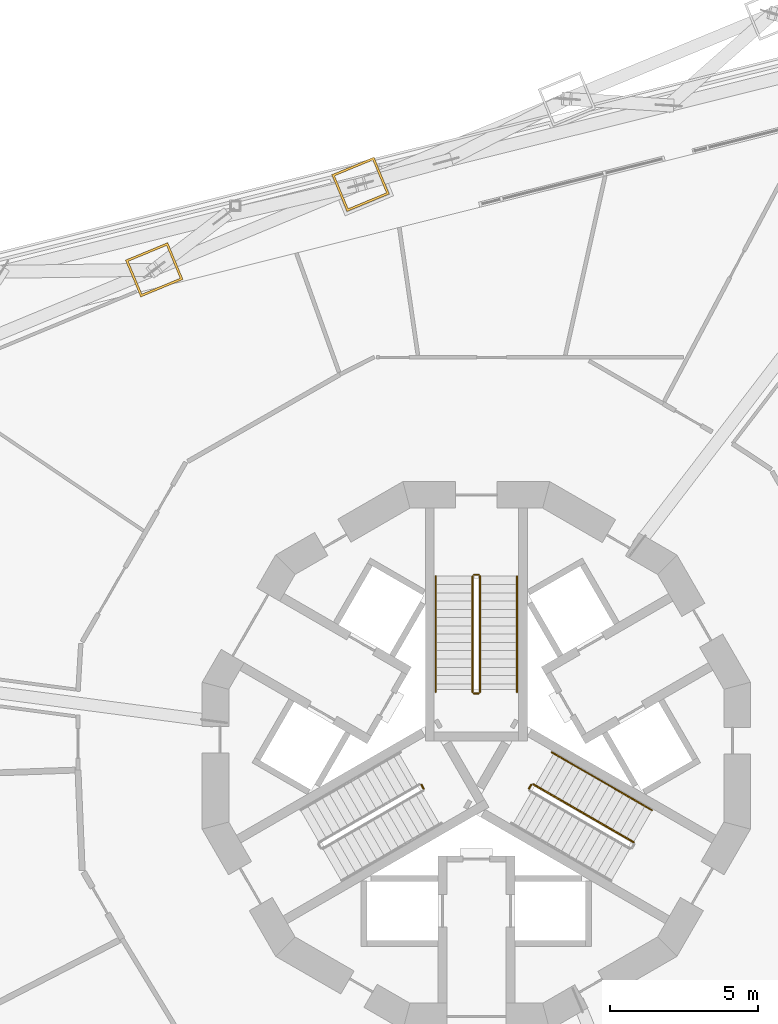
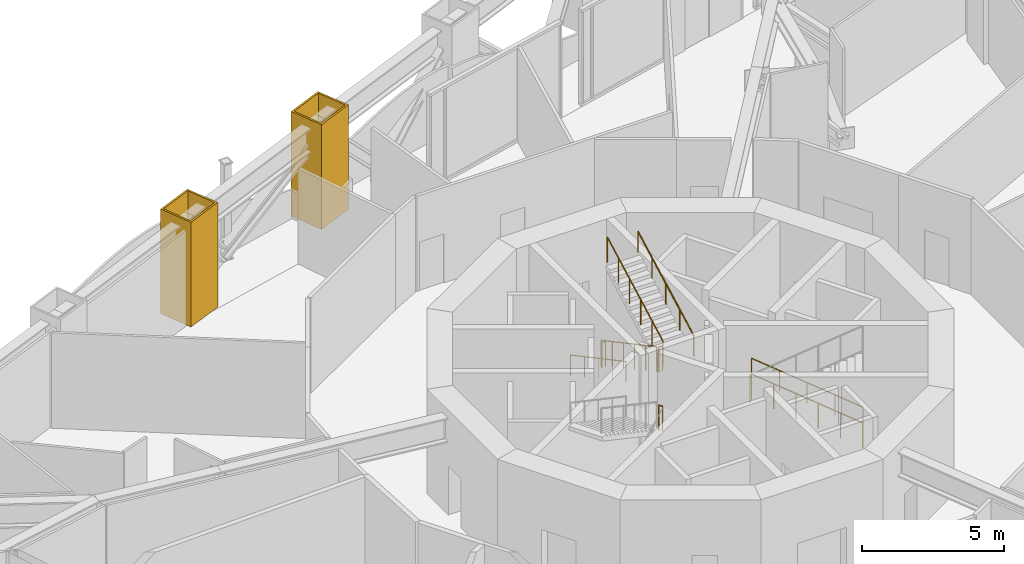
# One storey, part 24 of 26: 11 railings, 2 coverings.
"""IFC4 building model written with IfcOpenShell, lengths in metres."""

from ifc_helpers import new_model, si_unit, direction, frame, origin, origin_2d, place, context, subcontext, project, spatial, polyline, circle, outline, extrude, material, layer, layer_set, type_object, element, save


model = new_model("IFC4")

# Units and contexts
model_context = context("Model", 3, precision=1e-05, world=origin(), true_north=direction((0.0, 1.0)))
body_context = subcontext(model_context, "Body", "Model", "MODEL_VIEW")
ifc_project = project(units=[si_unit("LENGTHUNIT", "METRE"), si_unit("AREAUNIT", "SQUARE_METRE"), si_unit("VOLUMEUNIT", "CUBIC_METRE"), si_unit("PLANEANGLEUNIT", "RADIAN"), si_unit("MASSUNIT", "GRAM", prefix="KILO")], contexts=[model_context])

# Site, building, storey
site_placement = place(None, origin())
site = spatial("IfcSite", under=ifc_project, at=site_placement, CompositionType="ELEMENT")
building_placement = place(site_placement, origin())
building = spatial("IfcBuilding", under=site, at=building_placement, Name="Trine Commons Tower", CompositionType="ELEMENT")
storey_placement = place(building_placement, frame((0.0, 0.0, 119.699951171875)))
storey = spatial("IfcBuildingStorey", under=building, at=storey_placement, Name="L30", CompositionType="ELEMENT", Elevation=119.699951171875)

# Coverings
ifc_material_1 = material(Name="Limestone, honed", Category="masonry")
ifc_layer = layer(ifc_material_1, 0.074951171875)
ifc_layer_set = layer_set([ifc_layer], Name="Limestone, honed")
covering_type = type_object("IfcCoveringType", Name="Limestone column cladding 75", PredefinedType="CLADDING", material=ifc_layer_set)
covering_1_placement = place(storey_placement, origin())
element("IfcCovering", 1, at=covering_1_placement, inside=storey, type_object=covering_type, Name="Limestone pier cladding 4-12", PredefinedType="CLADDING", context=body_context, shape_type="SweptSolid", body=[
    extrude(outline(polyline([(70.07958984375, 78.60791015625), (69.56298828125, 79.855224609375), (68.131103515625, 79.261962890625), (68.647705078125, 78.014892578125), (70.07958984375, 78.60791015625)]), holes=[polyline([(69.981689453125, 78.648681640625), (69.5224609375, 79.757080078125), (68.22900390625, 79.221435546875), (68.688232421875, 78.11279296875), (69.981689453125, 78.648681640625)])]), origin(), (0.0, 0.0, 1.0), 4.5),
])
covering_2_placement = place(storey_placement, origin())
element("IfcCovering", 2, at=covering_2_placement, inside=storey, type_object=covering_type, Name="Limestone pier cladding 4-13", PredefinedType="CLADDING", context=body_context, shape_type="SweptSolid", body=[
    extrude(outline(polyline([(77.056640625, 81.498046875), (76.5400390625, 82.745361328125), (75.108154296875, 82.152099609375), (75.624755859375, 80.90478515625), (77.056640625, 81.498046875)]), holes=[polyline([(76.958740234375, 81.538818359375), (76.49951171875, 82.647216796875), (75.2060546875, 82.111572265625), (75.665283203125, 81.0029296875), (76.958740234375, 81.538818359375)])]), origin(), (0.0, 0.0, 1.0), 4.5),
])

# Railings
ifc_material_2 = material(Name="Stainless steel balustrade", Category="steel")
railing_type_1 = type_object("IfcRailingType", Name="Stair guard, steel balustrade 1100", PredefinedType="GUARDRAIL", material=ifc_material_2)
railing_1_placement = place(storey_placement, frame((79.875, 68.570556640625, 0.150146484375)))
element("IfcRailing", 3, at=railing_1_placement, inside=storey, type_object=railing_type_1, Name="L30 ST1B stair guard 1", PredefinedType="GUARDRAIL", context=body_context, shape_type="SweptSolid", body=[
    extrude(circle(Radius=0.02392578125, at=origin_2d()), frame((0.0, 0.0, 1.076171875), z_axis=(0.0, -0.881489763865, 0.472203130232), x_axis=(1.0, 0.0, 0.0)), (0.0, 0.0, 1.0), 4.447021484375),
    extrude(circle(Radius=0.02099609375, at=origin_2d()), origin(), (0.0, 0.0, 1.0), 1.052001953125),
    extrude(circle(Radius=0.02099609375, at=origin_2d()), frame((0.0, -0.783935546875, 0.419921875)), (0.0, 0.0, 1.0), 1.052001953125),
    extrude(circle(Radius=0.02099609375, at=origin_2d()), frame((0.0, -1.56787109375, 0.83984375)), (0.0, 0.0, 1.0), 1.052001953125),
    extrude(circle(Radius=0.02099609375, at=origin_2d()), frame((0.0, -2.35205078125, 1.260009765625)), (0.0, 0.0, 1.0), 1.052001953125),
    extrude(circle(Radius=0.02099609375, at=origin_2d()), frame((0.0, -3.135986328125, 1.679931640625)), (0.0, 0.0, 1.0), 1.052001953125),
    extrude(circle(Radius=0.02099609375, at=origin_2d()), frame((0.0, -3.919921875, 2.099853515625)), (0.0, 0.0, 1.0), 1.052001953125),
])
railing_2_placement = place(storey_placement, frame((79.925048828125, 64.6005859375, 2.25)))
element("IfcRailing", 4, at=railing_2_placement, inside=storey, type_object=railing_type_1, Name="L30 ST1B stair guard 2", PredefinedType="GUARDRAIL", context=body_context, shape_type="SweptSolid", body=[
    extrude(circle(Radius=0.02392578125, at=origin_2d()), frame((0.0, 0.0, 1.076171875), z_axis=(1.0, 0.0, 0.0), x_axis=(0.0, 1.0, 0.0)), (0.0, 0.0, 1.0), 0.14990234375),
    extrude(circle(Radius=0.02099609375, at=origin_2d()), origin(), (0.0, 0.0, 1.0), 1.052001953125),
    extrude(circle(Radius=0.02099609375, at=origin_2d()), frame((0.14990234375, 0.0, 0.0)), (0.0, 0.0, 1.0), 1.052001953125),
])
railing_3_placement = place(storey_placement, frame((80.125, 64.650634765625, 2.400146484375)))
element("IfcRailing", 5, at=railing_3_placement, inside=storey, type_object=railing_type_1, Name="L30 ST1B stair guard 3", PredefinedType="GUARDRAIL", context=body_context, shape_type="SweptSolid", body=[
    extrude(circle(Radius=0.02392578125, at=origin_2d()), frame((0.0, 0.0, 1.076171875), z_axis=(0.0, 0.881489763865, 0.472203130232), x_axis=(-1.0, 0.0, 0.0)), (0.0, 0.0, 1.0), 4.447021484375),
    extrude(circle(Radius=0.02099609375, at=origin_2d()), origin(), (0.0, 0.0, 1.0), 1.052001953125),
    extrude(circle(Radius=0.02099609375, at=origin_2d()), frame((0.0, 0.783935546875, 0.419921875)), (0.0, 0.0, 1.0), 1.052001953125),
    extrude(circle(Radius=0.02099609375, at=origin_2d()), frame((0.0, 1.56787109375, 0.83984375)), (0.0, 0.0, 1.0), 1.052001953125),
    extrude(circle(Radius=0.02099609375, at=origin_2d()), frame((0.0, 2.35205078125, 1.260009765625)), (0.0, 0.0, 1.0), 1.052001953125),
    extrude(circle(Radius=0.02099609375, at=origin_2d()), frame((0.0, 3.135986328125, 1.679931640625)), (0.0, 0.0, 1.0), 1.052001953125),
    extrude(circle(Radius=0.02099609375, at=origin_2d()), frame((0.0, 3.919921875, 2.099853515625)), (0.0, 0.0, 1.0), 1.052001953125),
])
railing_4_placement = place(storey_placement, frame((79.925048828125, 68.62060546875, 0.0)))
element("IfcRailing", 6, at=railing_4_placement, inside=storey, type_object=railing_type_1, Name="L30 ST1B stair guard 4", PredefinedType="GUARDRAIL", context=body_context, shape_type="SweptSolid", body=[
    extrude(circle(Radius=0.02392578125, at=origin_2d()), frame((0.0, 0.0, 1.076171875), z_axis=(1.0, 0.0, 0.0), x_axis=(0.0, 1.0, 0.0)), (0.0, 0.0, 1.0), 0.14990234375),
    extrude(circle(Radius=0.02099609375, at=origin_2d()), origin(), (0.0, 0.0, 1.0), 1.052001953125),
    extrude(circle(Radius=0.02099609375, at=origin_2d()), frame((0.14990234375, 0.0, 0.0)), (0.0, 0.0, 1.0), 1.052001953125),
])
railing_5_placement = place(storey_placement, frame((78.21826171875, 61.384765625, 2.25)))
element("IfcRailing", 7, at=railing_5_placement, inside=storey, type_object=railing_type_1, Name="L30 ST2B stair guard 2", PredefinedType="GUARDRAIL", context=body_context, shape_type="SweptSolid", body=[
    extrude(circle(Radius=0.02392578125, at=origin_2d()), frame((0.0, 0.0, 1.076171875), z_axis=(-0.499816412211, 0.866131372301, 0.0), x_axis=(-0.866131372301, -0.499816412211, 0.0)), (0.0, 0.0, 1.0), 0.14990234375),
    extrude(circle(Radius=0.02099609375, at=origin_2d()), origin(), (0.0, 0.0, 1.0), 1.052001953125),
    extrude(circle(Radius=0.02099609375, at=origin_2d()), frame((-0.074951171875, 0.1298828125, 0.0)), (0.0, 0.0, 1.0), 1.052001953125),
])
railing_6_placement = place(storey_placement, frame((85.31982421875, 59.572998046875, 0.150146484375)))
element("IfcRailing", 8, at=railing_6_placement, inside=storey, type_object=railing_type_1, Name="L30 ST3B stair guard 1", PredefinedType="GUARDRAIL", context=body_context, shape_type="SweptSolid", body=[
    extrude(circle(Radius=0.02392578125, at=origin_2d()), frame((0.0, 0.0, 1.076171875), z_axis=(-0.763394730363, 0.440743106462, 0.472201228037), x_axis=(-0.499997407846, -0.86602690036, 0.0)), (0.0, 0.0, 1.0), 4.447021484375),
    extrude(circle(Radius=0.02099609375, at=origin_2d()), origin(), (0.0, 0.0, 1.0), 1.052001953125),
    extrude(circle(Radius=0.02099609375, at=origin_2d()), frame((-0.678955078125, 0.39208984375, 0.419921875)), (0.0, 0.0, 1.0), 1.052001953125),
    extrude(circle(Radius=0.02099609375, at=origin_2d()), frame((-1.35791015625, 0.783935546875, 0.83984375)), (0.0, 0.0, 1.0), 1.052001953125),
    extrude(circle(Radius=0.02099609375, at=origin_2d()), frame((-2.036865234375, 1.176025390625, 1.260009765625)), (0.0, 0.0, 1.0), 1.052001953125),
    extrude(circle(Radius=0.02099609375, at=origin_2d()), frame((-2.7158203125, 1.56787109375, 1.679931640625)), (0.0, 0.0, 1.0), 1.052001953125),
    extrude(circle(Radius=0.02099609375, at=origin_2d()), frame((-3.394775390625, 1.9599609375, 2.099853515625)), (0.0, 0.0, 1.0), 1.052001953125),
])
railing_7_placement = place(storey_placement, frame((81.856689453125, 61.5146484375, 2.25)))
element("IfcRailing", 9, at=railing_7_placement, inside=storey, type_object=railing_type_1, Name="L30 ST3B stair guard 2", PredefinedType="GUARDRAIL", context=body_context, shape_type="SweptSolid", body=[
    extrude(circle(Radius=0.02392578125, at=origin_2d()), frame((0.0, 0.0, 1.076171875), z_axis=(-0.499816412211, -0.866131372301, 0.0), x_axis=(0.866131372301, -0.499816412211, 0.0)), (0.0, 0.0, 1.0), 0.14990234375),
    extrude(circle(Radius=0.02099609375, at=origin_2d()), origin(), (0.0, 0.0, 1.0), 1.052001953125),
    extrude(circle(Radius=0.02099609375, at=origin_2d()), frame((-0.074951171875, -0.1298828125, 0.0)), (0.0, 0.0, 1.0), 1.052001953125),
])
ifc_material_3 = material(Name="Stainless steel handrail", Category="steel")
railing_type_2 = type_object("IfcRailingType", Name="Stair handrail, steel 900", PredefinedType="HANDRAIL", material=ifc_material_3)
railing_8_placement = place(storey_placement, frame((78.625, 68.570556640625, 0.150146484375)))
element("IfcRailing", 10, at=railing_8_placement, inside=storey, type_object=railing_type_2, Name="L30 ST1B stair handrail 1", PredefinedType="HANDRAIL", context=body_context, shape_type="SweptSolid", body=[
    extrude(circle(Radius=0.02099609375, at=origin_2d()), frame((0.0, 0.0, 0.87890625), z_axis=(0.0, -0.881489763865, 0.472203130232), x_axis=(1.0, 0.0, 0.0)), (0.0, 0.0, 1.0), 4.447021484375),
    extrude(circle(Radius=0.01513671875, at=origin_2d()), origin(), (0.0, 0.0, 1.0), 0.85791015625),
    extrude(circle(Radius=0.01513671875, at=origin_2d()), frame((0.0, -0.97998046875, 0.52490234375)), (0.0, 0.0, 1.0), 0.85791015625),
    extrude(circle(Radius=0.01513671875, at=origin_2d()), frame((0.0, -1.9599609375, 1.0498046875)), (0.0, 0.0, 1.0), 0.85791015625),
    extrude(circle(Radius=0.01513671875, at=origin_2d()), frame((0.0, -2.93994140625, 1.574951171875)), (0.0, 0.0, 1.0), 0.85791015625),
    extrude(circle(Radius=0.01513671875, at=origin_2d()), frame((0.0, -3.919921875, 2.099853515625)), (0.0, 0.0, 1.0), 0.85791015625),
])
railing_9_placement = place(storey_placement, frame((81.375, 64.650634765625, 2.400146484375)))
element("IfcRailing", 11, at=railing_9_placement, inside=storey, type_object=railing_type_2, Name="L30 ST1B stair handrail 2", PredefinedType="HANDRAIL", context=body_context, shape_type="SweptSolid", body=[
    extrude(circle(Radius=0.02099609375, at=origin_2d()), frame((0.0, 0.0, 0.87890625), z_axis=(0.0, 0.881489763865, 0.472203130232), x_axis=(-1.0, 0.0, 0.0)), (0.0, 0.0, 1.0), 4.447021484375),
    extrude(circle(Radius=0.01513671875, at=origin_2d()), origin(), (0.0, 0.0, 1.0), 0.85791015625),
    extrude(circle(Radius=0.01513671875, at=origin_2d()), frame((0.0, 0.97998046875, 0.52490234375)), (0.0, 0.0, 1.0), 0.85791015625),
    extrude(circle(Radius=0.01513671875, at=origin_2d()), frame((0.0, 1.9599609375, 1.0498046875)), (0.0, 0.0, 1.0), 0.85791015625),
    extrude(circle(Radius=0.01513671875, at=origin_2d()), frame((0.0, 2.93994140625, 1.574951171875)), (0.0, 0.0, 1.0), 0.85791015625),
    extrude(circle(Radius=0.01513671875, at=origin_2d()), frame((0.0, 3.919921875, 2.099853515625)), (0.0, 0.0, 1.0), 0.85791015625),
])
railing_10_placement = place(storey_placement, frame((85.94482421875, 60.655517578125, 0.150146484375)))
element("IfcRailing", 12, at=railing_10_placement, inside=storey, type_object=railing_type_2, Name="L30 ST3B stair handrail 1", PredefinedType="HANDRAIL", context=body_context, shape_type="SweptSolid", body=[
    extrude(circle(Radius=0.02099609375, at=origin_2d()), frame((0.0, 0.0, 0.87890625), z_axis=(-0.763437424022, 0.440736059258, 0.47213877798), x_axis=(-0.499970440388, -0.866042469362, 0.0)), (0.0, 0.0, 1.0), 2.223388671875),
    extrude(circle(Radius=0.01513671875, at=origin_2d()), origin(), (0.0, 0.0, 1.0), 0.85791015625),
    extrude(circle(Radius=0.01513671875, at=origin_2d()), frame((-0.8486328125, 0.489990234375, 0.52490234375)), (0.0, 0.0, 1.0), 0.85791015625),
    extrude(circle(Radius=0.01513671875, at=origin_2d()), frame((-1.697509765625, 0.97998046875, 1.0498046875)), (0.0, 0.0, 1.0), 0.85791015625),
])
railing_11_placement = place(storey_placement, frame((84.247314453125, 61.635498046875, 1.199951171875)))
element("IfcRailing", 13, at=railing_11_placement, inside=storey, type_object=railing_type_2, Name="L30 ST3B stair handrail 2", PredefinedType="HANDRAIL", context=body_context, shape_type="SweptSolid", body=[
    extrude(circle(Radius=0.02099609375, at=origin_2d()), frame((0.0, 0.0, 0.87890625), z_axis=(-0.763352030933, 0.440750151347, 0.472263677365), x_axis=(-0.500024377727, -0.866011328839, 0.0)), (0.0, 0.0, 1.0), 2.223388671875),
    extrude(circle(Radius=0.01513671875, at=origin_2d()), origin(), (0.0, 0.0, 1.0), 0.85791015625),
    extrude(circle(Radius=0.01513671875, at=origin_2d()), frame((-0.8486328125, 0.489990234375, 0.52490234375)), (0.0, 0.0, 1.0), 0.85791015625),
    extrude(circle(Radius=0.01513671875, at=origin_2d()), frame((-1.697265625, 0.97998046875, 1.050048828125)), (0.0, 0.0, 1.0), 0.85791015625),
])

save(model, "model.ifc")
